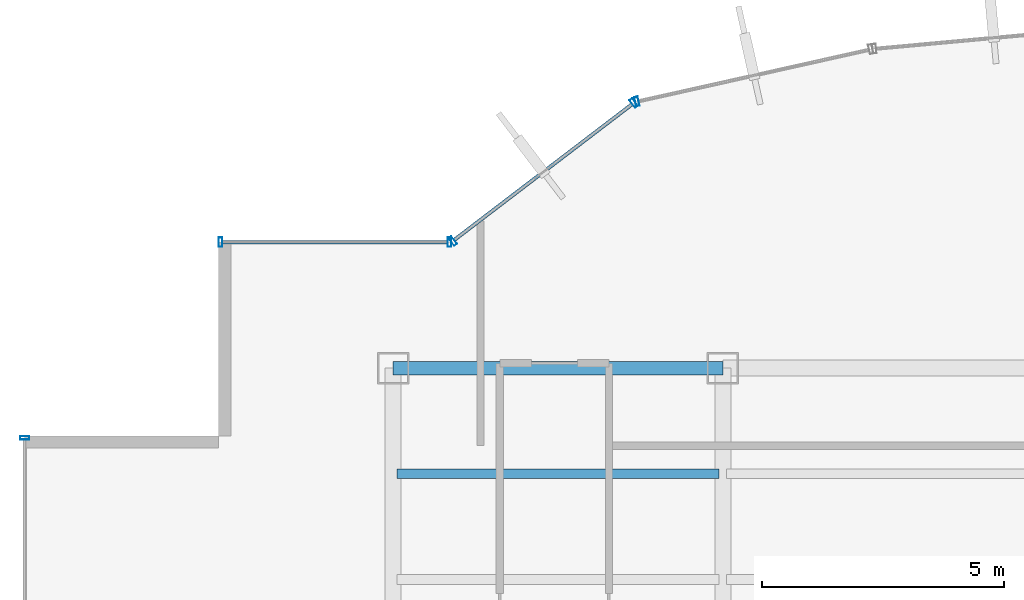
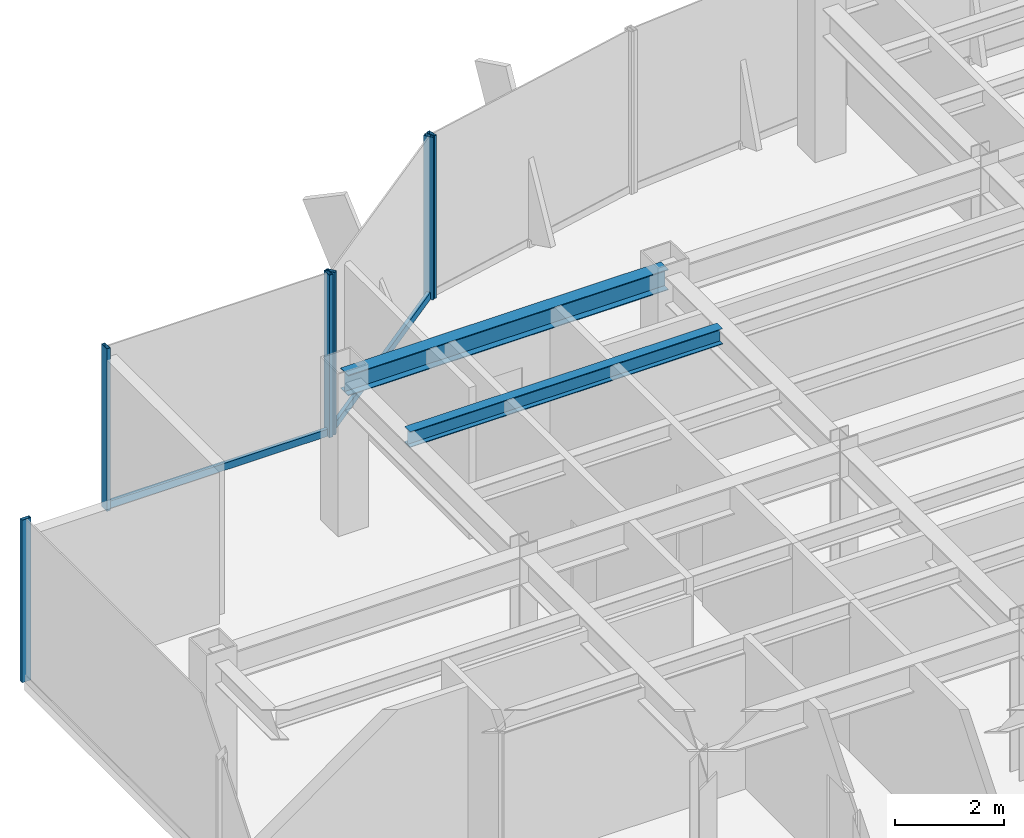
# One storey, part 13 of 23: 8 members, 2 beams, 4 elements without a shape of their own.
"""IFC4 building model written with IfcOpenShell, lengths in metres."""

from ifc_helpers import new_model, si_unit, derived_unit, direction, frame, origin, origin_2d, place, context, subcontext, project, spatial, hollow_rectangle, i_section, extrude, source, transform, mapped, material, material_profile, profile_set, type_object, element, aggregate, save


model = new_model("IFC4")

# Units and contexts
model_context = context("Model", 3, precision=1e-05, world=origin(), true_north=direction((0.0, 1.0)))
body_context = subcontext(model_context, "Body", "Model", "MODEL_VIEW")
ifc_project = project(units=[si_unit("LENGTHUNIT", "METRE"), si_unit("AREAUNIT", "SQUARE_METRE"), si_unit("VOLUMEUNIT", "CUBIC_METRE"), si_unit("PLANEANGLEUNIT", "RADIAN"), si_unit("MASSUNIT", "GRAM", prefix="KILO"), derived_unit("THERMALTRANSMITTANCEUNIT", [(si_unit("POWERUNIT", "WATT"), 1), (si_unit("LENGTHUNIT", "METRE"), -2), (si_unit("THERMODYNAMICTEMPERATUREUNIT", "KELVIN"), -1)])], contexts=[model_context])

# Site, building, storey
site_placement = place(None, origin())
site = spatial("IfcSite", under=ifc_project, at=site_placement, CompositionType="ELEMENT")
building_placement = place(site_placement, origin())
building = spatial("IfcBuilding", under=site, at=building_placement, Name="Skarnbrae Concourse Arena and Tower", CompositionType="ELEMENT")
storey_placement = place(building_placement, frame((0.0, 0.0, 140.60009765625)))
storey = spatial("IfcBuildingStorey", under=building, at=storey_placement, Name="L35", CompositionType="ELEMENT", Elevation=140.60009765625)

# Beams
ifc_material_1 = material(Name="Steel CSA G40.21 350W", Category="steel")
ifc_material_profile_1 = material_profile(ifc_material_1, i_section(OverallWidth=0.280029296875, OverallDepth=0.462890625, WebThickness=0.0107421875, FlangeThickness=0.017333984375, at=origin_2d()), Name="W460X113")
ifc_profile_set_1 = profile_set([ifc_material_profile_1], Name="Steel CSA G40.21 350W")
beam_type_1 = type_object("IfcBeamType", Name="BM-SPAN-W460X113", PredefinedType="SPANDREL", material=ifc_profile_set_1)
shared_shape_1 = source(origin(), body_context, "Body", "SweptSolid", [
    extrude(i_section(OverallWidth=0.280029296875, OverallDepth=0.462890625, WebThickness=0.0107421875, FlangeThickness=0.017333984375, at=origin_2d()), origin(), (0.0, 0.0, 1.0), 6.7998046875),
])
beam_1_placement = place(storey_placement, frame((7.60009765625, 34.39990234375, 3.16845703125), z_axis=(1.0, 0.0, 0.0), x_axis=(0.0, 1.0, 0.0)))
element("IfcBeam", 1, at=beam_1_placement, inside=storey, type_object=beam_type_1, Name="L35 Perimeter spandrel Y34.4-1", PredefinedType="SPANDREL", context=body_context, shape_type="MappedRepresentation", body=[
    mapped(shared_shape_1, transform((0.0, 0.0, 0.0))),
])
ifc_material_profile_2 = material_profile(ifc_material_1, i_section(OverallWidth=0.205078125, OverallDepth=0.35400390625, WebThickness=0.009521484375, FlangeThickness=0.016845703125, at=origin_2d()), Name="W360X79")
ifc_profile_set_2 = profile_set([ifc_material_profile_2], Name="Steel CSA G40.21 350W")
beam_type_2 = type_object("IfcBeamType", Name="BM-JOIST-W360X79", PredefinedType="JOIST", material=ifc_profile_set_2)
shared_shape_2 = source(origin(), body_context, "Body", "SweptSolid", [
    extrude(i_section(OverallWidth=0.205078125, OverallDepth=0.35400390625, WebThickness=0.009521484375, FlangeThickness=0.016845703125, at=origin_2d()), origin(), (0.0, 0.0, 1.0), 6.64013671875),
])
beam_2_placement = place(storey_placement, frame((7.679931640625, 32.221923828125, 3.222900390625), z_axis=(1.0, 0.0, 0.0), x_axis=(0.0, 1.0, 0.0)))
element("IfcBeam", 2, at=beam_2_placement, inside=storey, type_object=beam_type_2, Name="L35 Secondary floor joist 3.2.1", PredefinedType="JOIST", context=body_context, shape_type="MappedRepresentation", body=[
    mapped(shared_shape_2, transform((0.0, 0.0, 0.0))),
])

# Curtain wall, member
ifc_material_2 = material(Name="Bronze anodised aluminium 6063-T6", Category="aluminium")
curtain_wall_type = type_object("IfcCurtainWallType", Name="CW-SYS-04-MIDZONE", PredefinedType="USERDEFINED", material=ifc_material_2)
curtain_wall_1_placement = place(storey_placement, origin())
curtain_wall_1 = element("IfcCurtainWall", 3, at=curtain_wall_1_placement, inside=storey, type_object=curtain_wall_type, Name="L35 Unitised curtain wall CW-L35-E13", ObjectType="UNITISED CURTAIN WALL", PredefinedType="USERDEFINED")
ifc_material_profile_3 = material_profile(ifc_material_2, hollow_rectangle(XDim=0.074951171875, YDim=0.195068359375, WallThickness=0.00439453125, at=origin_2d()), Name="ALU-MULL-75X195")
ifc_profile_set_3 = profile_set([ifc_material_profile_3], Name="Bronze anodised aluminium 6063-T6")
member_type_1 = type_object("IfcMemberType", Name="CWM-CW-04", PredefinedType="MULLION", material=ifc_profile_set_3)
shared_shape_3 = source(origin(), body_context, "Body", "SweptSolid", [
    extrude(hollow_rectangle(XDim=0.074951171875, YDim=0.195068359375, WallThickness=0.00439453125, at=origin_2d()), origin(), (0.0, 0.0, 1.0), 3.64990234375),
])
member_1_placement = place(storey_placement, frame((12.627197265625, 39.90087890625, 0.0), z_axis=(0.0, 0.0, 1.0), x_axis=(-0.975936175393, -0.218056372433, 0.0)))
member_1 = element("IfcMember", 4, at=member_1_placement, type_object=member_type_1, Name="CW-L35-E13 Mullion 2", PredefinedType="MULLION", context=body_context, shape_type="MappedRepresentation", body=[
    mapped(shared_shape_3, transform((0.0, 0.0, 0.0))),
])
aggregate(curtain_wall_1, [member_1])

# Curtain wall, members
curtain_wall_2_placement = place(storey_placement, origin())
curtain_wall_2 = element("IfcCurtainWall", 5, at=curtain_wall_2_placement, inside=storey, type_object=curtain_wall_type, Name="L35 Unitised curtain wall CW-L35-E14", ObjectType="UNITISED CURTAIN WALL", PredefinedType="USERDEFINED")
member_2_placement = place(storey_placement, frame((12.560791015625, 39.869873046875, 0.0), z_axis=(0.0, 0.0, 1.0), x_axis=(-0.794956000706, -0.606667089054, 0.0)))
member_2 = element("IfcMember", 6, at=member_2_placement, type_object=member_type_1, Name="CW-L35-E14 Mullion 1", PredefinedType="MULLION", context=body_context, shape_type="MappedRepresentation", body=[
    mapped(shared_shape_3, transform((0.0, 0.0, 0.0))),
])
member_3_placement = place(storey_placement, frame((8.829833984375, 37.022705078125, 0.0), z_axis=(0.0, 0.0, 1.0), x_axis=(-0.794956000706, -0.606667089054, 0.0)))
member_3 = element("IfcMember", 7, at=member_3_placement, type_object=member_type_1, Name="CW-L35-E14 Mullion 2", PredefinedType="MULLION", context=body_context, shape_type="MappedRepresentation", body=[
    mapped(shared_shape_3, transform((0.0, 0.0, 0.0))),
])

curtain_wall_3_placement = place(storey_placement, origin())
curtain_wall_3 = element("IfcCurtainWall", 8, at=curtain_wall_3_placement, inside=storey, type_object=curtain_wall_type, Name="L35 Unitised curtain wall CW-L35-E15", ObjectType="UNITISED CURTAIN WALL", PredefinedType="USERDEFINED")
member_4_placement = place(storey_placement, frame((8.762451171875, 37.0, 0.0), z_axis=(0.0, 0.0, 1.0), x_axis=(-1.0, 0.0, 0.0)))
member_4 = element("IfcMember", 9, at=member_4_placement, type_object=member_type_1, Name="CW-L35-E15 Mullion 1", PredefinedType="MULLION", context=body_context, shape_type="MappedRepresentation", body=[
    mapped(shared_shape_3, transform((0.0, 0.0, 0.0))),
])
member_5_placement = place(storey_placement, frame((4.03759765625, 37.0, 0.0), z_axis=(0.0, 0.0, 1.0), x_axis=(-1.0, 0.0, 0.0)))
member_5 = element("IfcMember", 10, at=member_5_placement, type_object=member_type_1, Name="CW-L35-E15 Mullion 2", PredefinedType="MULLION", context=body_context, shape_type="MappedRepresentation", body=[
    mapped(shared_shape_3, transform((0.0, 0.0, 0.0))),
])

# Curtain wall, member
curtain_wall_4_placement = place(storey_placement, origin())
curtain_wall_4 = element("IfcCurtainWall", 11, at=curtain_wall_4_placement, inside=storey, type_object=curtain_wall_type, Name="L35 Unitised curtain wall CW-L35-E18", ObjectType="UNITISED CURTAIN WALL", PredefinedType="USERDEFINED")
member_6_placement = place(storey_placement, frame((0.0, 32.96240234375, 0.0), z_axis=(0.0, 0.0, 1.0), x_axis=(0.0, -1.0, 0.0)))
member_6 = element("IfcMember", 12, at=member_6_placement, type_object=member_type_1, Name="CW-L35-E18 Mullion 1", PredefinedType="MULLION", context=body_context, shape_type="MappedRepresentation", body=[
    mapped(shared_shape_3, transform((0.0, 0.0, 0.0))),
])
aggregate(curtain_wall_4, [member_6])

# Member
ifc_material_profile_4 = material_profile(ifc_material_2, hollow_rectangle(XDim=0.074951171875, YDim=0.159912109375, WallThickness=0.00439453125, at=origin_2d()), Name="ALU-TRAN-75X160")
ifc_profile_set_4 = profile_set([ifc_material_profile_4], Name="Bronze anodised aluminium 6063-T6")
member_type_2 = type_object("IfcMemberType", Name="CWT-CW-04", PredefinedType="USERDEFINED", material=ifc_profile_set_4)
shared_shape_4 = source(origin(), body_context, "Body", "SweptSolid", [
    extrude(hollow_rectangle(XDim=0.074951171875, YDim=0.159912109375, WallThickness=0.00439453125, at=origin_2d()), origin(), (0.0, 0.0, 1.0), 4.650146484375),
])
member_7_placement = place(storey_placement, frame((8.72509765625, 37.0, 0.079833984375), z_axis=(-1.0, 0.0, 0.0), x_axis=(0.0, -1.0, 0.0)))
member_7 = element("IfcMember", 13, at=member_7_placement, type_object=member_type_2, Name="CW-L35-E15 Transom 1", ObjectType="TRANSOM", PredefinedType="USERDEFINED", context=body_context, shape_type="MappedRepresentation", body=[
    mapped(shared_shape_4, transform((0.0, 0.0, 0.0))),
])

aggregate(curtain_wall_3, [member_4, member_5, member_7])

shared_shape_5 = source(origin(), body_context, "Body", "SweptSolid", [
    extrude(hollow_rectangle(XDim=0.074951171875, YDim=0.159912109375, WallThickness=0.00439453125, at=origin_2d()), origin(), (0.0, 0.0, 1.0), 4.618408203125),
])
member_8_placement = place(storey_placement, frame((12.531005859375, 39.84716796875, 0.079833984375), z_axis=(-0.794960638756, -0.606661011462, 0.0), x_axis=(0.606661011462, -0.794960638756, 0.0)))
member_8 = element("IfcMember", 14, at=member_8_placement, type_object=member_type_2, Name="CW-L35-E14 Transom 1", ObjectType="TRANSOM", PredefinedType="USERDEFINED", context=body_context, shape_type="MappedRepresentation", body=[
    mapped(shared_shape_5, transform((0.0, 0.0, 0.0))),
])

aggregate(curtain_wall_2, [member_2, member_3, member_8])

save(model, "model.ifc")
